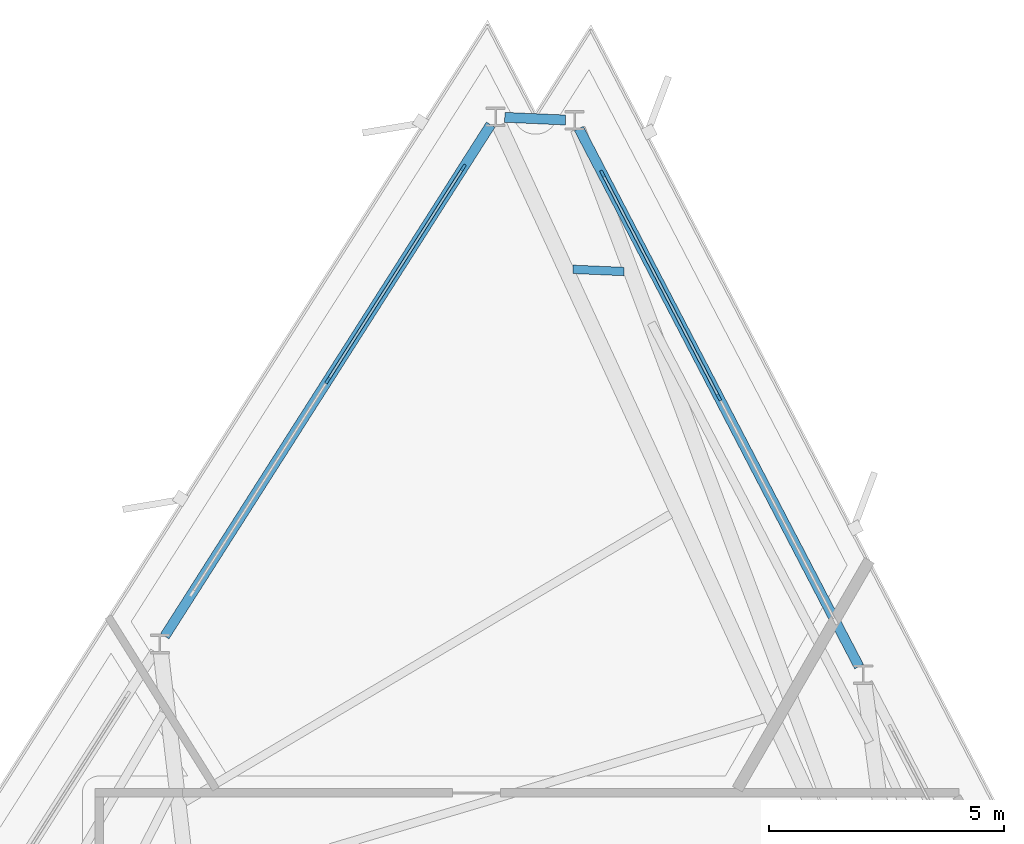
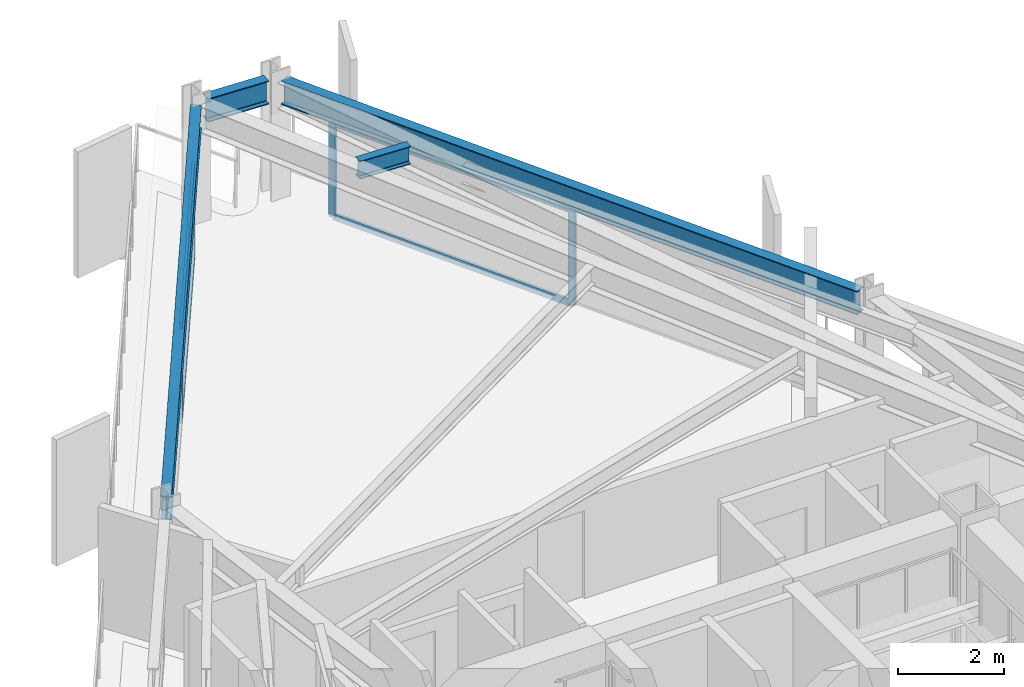
# One storey, part 6 of 12: 8 members, 4 beams, 2 elements without a shape of their own.
"""IFC4 building model written with IfcOpenShell, lengths in metres."""

from ifc_helpers import new_model, si_unit, direction, frame, origin, origin_2d, place, context, subcontext, project, spatial, rectangle, i_section, extrude, material, layer, layer_set, material_profile, profile_set, type_object, element, aggregate, save


model = new_model("IFC4")

# Units and contexts
model_context = context("Model", 3, precision=1e-05, world=origin(), true_north=direction((0.0, 1.0)))
body_context = subcontext(model_context, "Body", "Model", "MODEL_VIEW")
ifc_project = project(units=[si_unit("LENGTHUNIT", "METRE"), si_unit("AREAUNIT", "SQUARE_METRE"), si_unit("VOLUMEUNIT", "CUBIC_METRE"), si_unit("PLANEANGLEUNIT", "RADIAN"), si_unit("MASSUNIT", "GRAM", prefix="KILO")], contexts=[model_context])

# Site, building, storey
site_placement = place(None, origin())
site = spatial("IfcSite", under=ifc_project, at=site_placement, CompositionType="ELEMENT")
building_placement = place(site_placement, origin())
building = spatial("IfcBuilding", under=site, at=building_placement, Name="Rocaltana Carrier Exchange", CompositionType="ELEMENT")
storey_placement = place(building_placement, frame((0.0, 0.0, 135.0400390625)))
storey = spatial("IfcBuildingStorey", under=building, at=storey_placement, Name="L42", CompositionType="ELEMENT", Elevation=135.0400390625)

# Curtain wall, members
ifc_material_1 = material(Name="Aluminium 6063-T6", Category="aluminium")
ifc_layer = layer(ifc_material_1, 0.14990234375)
ifc_layer_set = layer_set([ifc_layer], Name="Aluminium 6063-T6")
curtain_wall_type = type_object("IfcCurtainWallType", Name="Mid-Tower Unitised Curtain Wall CW-03", PredefinedType="NOTDEFINED", material=ifc_layer_set)
curtain_wall_1_placement = place(storey_placement, origin())
curtain_wall_1 = element("IfcCurtainWall", 1, at=curtain_wall_1_placement, inside=storey, type_object=curtain_wall_type, Name="L42 CW-03 Run CW-L42-F1S3", PredefinedType="NOTDEFINED")
ifc_material_2 = material(Name="Aluminium 6063-T6", Category="aluminium")
ifc_material_profile_1 = material_profile(ifc_material_2, rectangle(XDim=0.06005859375, YDim=0.14990234375, at=origin_2d()), Name="AL-60X150")
ifc_profile_set_1 = profile_set([ifc_material_profile_1], Name="Aluminium 6063-T6")
member_type_1 = type_object("IfcMemberType", Name="CW-03 Mullion AL-60X150", PredefinedType="MULLION", material=ifc_profile_set_1)
member_1_placement = place(storey_placement, frame((4.938232421875, 17.56494140625, 0.0), z_axis=(0.0, 0.0, 1.0), x_axis=(-0.887007955385, -0.461754141383, 0.0)))
member_1 = element("IfcMember", 2, at=member_1_placement, type_object=member_type_1, Name="CW-03 mullion 2", PredefinedType="MULLION", context=body_context, shape_type="SweptSolid", body=[
    extrude(rectangle(XDim=0.06005859375, YDim=0.14990234375, at=origin_2d()), origin(), (0.0, 0.0, 1.0), 2.218017578125),
])
member_2_placement = place(storey_placement, frame((2.458740234375, 22.328125, 0.0), z_axis=(0.0, 0.0, 1.0), x_axis=(-0.887007955385, -0.461754141383, 0.0)))
member_2 = element("IfcMember", 3, at=member_2_placement, type_object=member_type_1, Name="CW-03 mullion 3", PredefinedType="MULLION", context=body_context, shape_type="SweptSolid", body=[
    extrude(rectangle(XDim=0.06005859375, YDim=0.14990234375, at=origin_2d()), origin(), (0.0, 0.0, 1.0), 2.218017578125),
])

curtain_wall_2_placement = place(storey_placement, origin())
curtain_wall_2 = element("IfcCurtainWall", 4, at=curtain_wall_2_placement, inside=storey, type_object=curtain_wall_type, Name="L42 CW-03 Run CW-L42-F2S1", PredefinedType="NOTDEFINED")
member_3_placement = place(storey_placement, frame((-0.50341796875, 22.45751953125, 0.0), z_axis=(0.0, 0.0, 1.0), x_axis=(0.843390685726, -0.537300801443, 0.0)))
member_3 = element("IfcMember", 5, at=member_3_placement, type_object=member_type_1, Name="CW-03 mullion 1", PredefinedType="MULLION", context=body_context, shape_type="SweptSolid", body=[
    extrude(rectangle(XDim=0.06005859375, YDim=0.14990234375, at=origin_2d()), origin(), (0.0, 0.0, 1.0), 2.218017578125),
])
member_4_placement = place(storey_placement, frame((-3.388671875, 17.928466796875, 0.0), z_axis=(0.0, 0.0, 1.0), x_axis=(0.843390685726, -0.537300801443, 0.0)))
member_4 = element("IfcMember", 6, at=member_4_placement, type_object=member_type_1, Name="CW-03 mullion 2", PredefinedType="MULLION", context=body_context, shape_type="SweptSolid", body=[
    extrude(rectangle(XDim=0.06005859375, YDim=0.14990234375, at=origin_2d()), origin(), (0.0, 0.0, 1.0), 2.218017578125),
])

# Member
ifc_material_3 = material(Name="Aluminium 6063-T6", Category="aluminium")
ifc_material_profile_2 = material_profile(ifc_material_3, rectangle(XDim=0.06005859375, YDim=0.14990234375, at=origin_2d()), Name="AL-60X150")
ifc_profile_set_2 = profile_set([ifc_material_profile_2], Name="Aluminium 6063-T6")
member_type_2 = type_object("IfcMemberType", Name="CW-03 Transom AL-60X150", PredefinedType="USERDEFINED", material=ifc_profile_set_2)
member_5_placement = place(storey_placement, frame((4.924560546875, 17.591552734375, 0.030029296875), z_axis=(-0.461756588365, 0.887006681543, 0.0), x_axis=(-0.887006681543, -0.461756588365, 0.0)))
member_5 = element("IfcMember", 7, at=member_5_placement, type_object=member_type_2, Name="CW-03 transom 2.1", ObjectType="TRANSOM", PredefinedType="USERDEFINED", context=body_context, shape_type="SweptSolid", body=[
    extrude(rectangle(XDim=0.06005859375, YDim=0.14990234375, at=origin_2d()), origin(), (0.0, 0.0, 1.0), 5.31005859375),
])

member_6_placement = place(storey_placement, frame((4.924560546875, 17.591552734375, 2.18798828125), z_axis=(-0.461756588365, 0.887006681543, 0.0), x_axis=(-0.887006681543, -0.461756588365, 0.0)))
member_6 = element("IfcMember", 8, at=member_6_placement, type_object=member_type_2, Name="CW-03 transom 2.2", ObjectType="TRANSOM", PredefinedType="USERDEFINED", context=body_context, shape_type="SweptSolid", body=[
    extrude(rectangle(XDim=0.06005859375, YDim=0.14990234375, at=origin_2d()), origin(), (0.0, 0.0, 1.0), 5.31005859375),
])

aggregate(curtain_wall_1, [member_1, member_2, member_5, member_6])

member_7_placement = place(storey_placement, frame((-0.51953125, 22.43212890625, 0.030029296875), z_axis=(-0.537306810176, -0.843386857698, 0.0), x_axis=(0.843386857698, -0.537306810176, 0.0)))
member_7 = element("IfcMember", 9, at=member_7_placement, type_object=member_type_2, Name="CW-03 transom 1.1", ObjectType="TRANSOM", PredefinedType="USERDEFINED", context=body_context, shape_type="SweptSolid", body=[
    extrude(rectangle(XDim=0.06005859375, YDim=0.14990234375, at=origin_2d()), origin(), (0.0, 0.0, 1.0), 5.309814453125),
])

member_8_placement = place(storey_placement, frame((-0.51953125, 22.43212890625, 2.18798828125), z_axis=(-0.537306810176, -0.843386857698, 0.0), x_axis=(0.843386857698, -0.537306810176, 0.0)))
member_8 = element("IfcMember", 10, at=member_8_placement, type_object=member_type_2, Name="CW-03 transom 1.2", ObjectType="TRANSOM", PredefinedType="USERDEFINED", context=body_context, shape_type="SweptSolid", body=[
    extrude(rectangle(XDim=0.06005859375, YDim=0.14990234375, at=origin_2d()), origin(), (0.0, 0.0, 1.0), 5.309814453125),
])

aggregate(curtain_wall_2, [member_3, member_4, member_7, member_8])

# Beams
ifc_material_4 = material(Name="Steel S355", Category="steel")
ifc_material_profile_3 = material_profile(ifc_material_4, i_section(OverallWidth=0.179931640625, OverallDepth=0.4130859375, WebThickness=0.009765625, FlangeThickness=0.01611328125, FilletRadius=0.012939453125, at=origin_2d()), Name="W16X50")
ifc_profile_set_3 = profile_set([ifc_material_profile_3], Name="Steel S355")
beam_type_1 = type_object("IfcBeamType", Name="Floor Joist W16X50", PredefinedType="JOIST", material=ifc_profile_set_3)
beam_1_placement = place(storey_placement, frame((2.915771484375, 20.24658203125, 2.58154296875), z_axis=(-0.999049362551, 0.043593247039, 0.0), x_axis=(-0.043593247039, -0.999049362551, 0.0)))
element("IfcBeam", 11, at=beam_1_placement, inside=storey, type_object=beam_type_1, Name="FJ-L42-04-3", PredefinedType="JOIST", context=body_context, shape_type="SweptSolid", body=[
    extrude(i_section(OverallWidth=0.179931640625, OverallDepth=0.4130859375, WebThickness=0.009765625, FlangeThickness=0.01611328125, FilletRadius=0.012939453125, at=origin_2d()), origin(), (0.0, 0.0, 1.0), 1.08642578125),
])
ifc_material_5 = material(Name="Steel S355", Category="steel")
ifc_material_profile_4 = material_profile(ifc_material_5, i_section(OverallWidth=0.2119140625, OverallDepth=0.5439453125, WebThickness=0.01318359375, FlangeThickness=0.021240234375, FilletRadius=0.014892578125, at=origin_2d()), Name="W21X83")
ifc_profile_set_4 = profile_set([ifc_material_profile_4], Name="Steel S355")
beam_type_2 = type_object("IfcBeamType", Name="Spandrel Edge Beam W21X83", PredefinedType="SPANDREL", material=ifc_profile_set_4)
beam_2_placement = place(storey_placement, frame((7.9189453125, 11.83935546875, 2.515869140625), z_axis=(-0.461753420073, 0.88700833088, 0.0), x_axis=(-0.88700833088, -0.461753420073, 0.0)))
element("IfcBeam", 12, at=beam_2_placement, inside=storey, type_object=beam_type_2, Name="SP-L42-03", PredefinedType="SPANDREL", context=body_context, shape_type="SweptSolid", body=[
    extrude(i_section(OverallWidth=0.2119140625, OverallDepth=0.5439453125, WebThickness=0.01318359375, FlangeThickness=0.021240234375, FilletRadius=0.014892578125, at=origin_2d()), origin(), (0.0, 0.0, 1.0), 12.909912109375),
])
beam_3_placement = place(storey_placement, frame((1.6728515625, 23.471923828125, 2.515869140625), z_axis=(-0.999042950667, 0.043739944245, 0.0), x_axis=(-0.043739944245, -0.999042950667, 0.0)))
element("IfcBeam", 13, at=beam_3_placement, inside=storey, type_object=beam_type_2, Name="SP-L42-04", PredefinedType="SPANDREL", context=body_context, shape_type="SweptSolid", body=[
    extrude(i_section(OverallWidth=0.2119140625, OverallDepth=0.5439453125, WebThickness=0.01318359375, FlangeThickness=0.021240234375, FilletRadius=0.014892578125, at=origin_2d()), origin(), (0.0, 0.0, 1.0), 1.294921875),
])
beam_4_placement = place(storey_placement, frame((0.07958984375, 23.37255859375, 2.515869140625), z_axis=(-0.537298808094, -0.84339195563, 0.0), x_axis=(0.84339195563, -0.537298808094, 0.0)))
element("IfcBeam", 14, at=beam_4_placement, inside=storey, type_object=beam_type_2, Name="SP-L42-05", PredefinedType="SPANDREL", context=body_context, shape_type="SweptSolid", body=[
    extrude(i_section(OverallWidth=0.2119140625, OverallDepth=0.5439453125, WebThickness=0.01318359375, FlangeThickness=0.021240234375, FilletRadius=0.014892578125, at=origin_2d()), origin(), (0.0, 0.0, 1.0), 12.909912109375),
])

save(model, "model.ifc")
